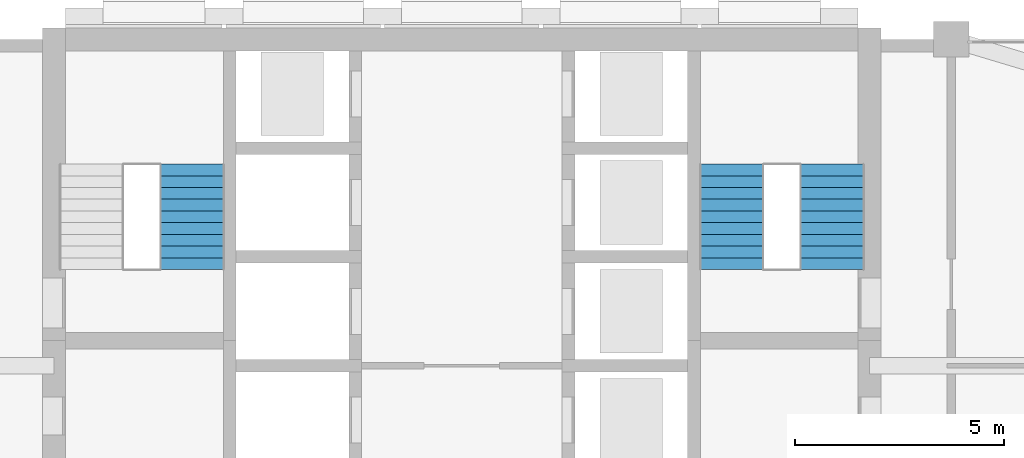
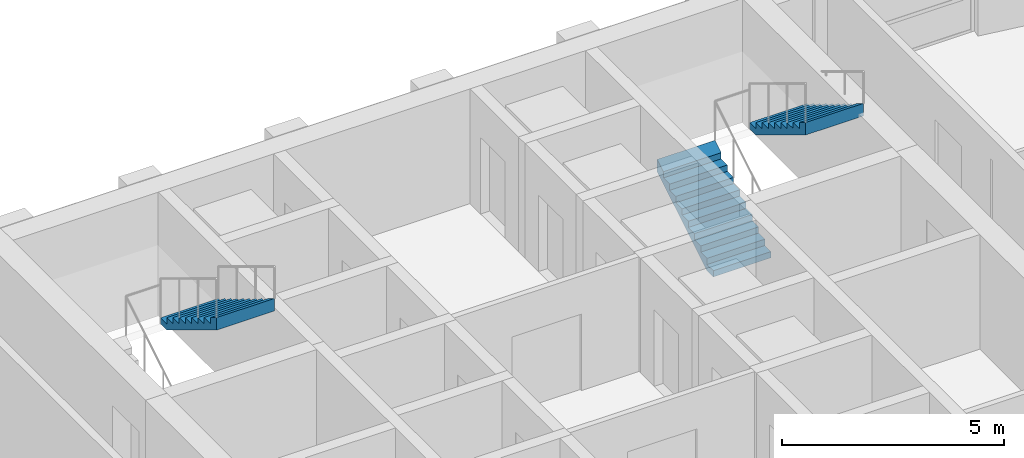
# One storey, part 16 of 19: 3 stair flights, 2 elements without a shape of their own.
"""IFC4 building model written with IfcOpenShell, lengths in metres."""

from ifc_helpers import new_model, si_unit, direction, frame, origin, place, context, subcontext, project, spatial, triangles, material, type_object, element, aggregate, save


model = new_model("IFC4")

# Units and contexts
model_context = context("Model", 3, precision=1e-05, world=origin(), true_north=direction((0.0, 1.0)))
body_context = subcontext(model_context, "Body", "Model", "MODEL_VIEW")
ifc_project = project(units=[si_unit("LENGTHUNIT", "METRE"), si_unit("AREAUNIT", "SQUARE_METRE"), si_unit("VOLUMEUNIT", "CUBIC_METRE"), si_unit("PLANEANGLEUNIT", "RADIAN"), si_unit("MASSUNIT", "GRAM", prefix="KILO")], contexts=[model_context])

# Site, building, storey
site_placement = place(None, origin())
site = spatial("IfcSite", under=ifc_project, at=site_placement, CompositionType="ELEMENT")
building_placement = place(site_placement, origin())
building = spatial("IfcBuilding", under=site, at=building_placement, Name="Ludao Terraces", CompositionType="ELEMENT")
storey_placement = place(building_placement, frame((0.0, 0.0, 133.89990234375)))
storey = spatial("IfcBuildingStorey", under=building, at=storey_placement, Name="L36", CompositionType="ELEMENT", Elevation=133.89990234375)

# Stair, stair flight
ifc_material = material(Name="Concrete C40", Category="concrete")
stair_type = type_object("IfcStairType", Name="INT Stair", PredefinedType="HALF_TURN_STAIR", material=ifc_material)
stair_1_placement = place(storey_placement, origin())
stair_1 = element("IfcStair", 1, at=stair_1_placement, inside=storey, type_object=stair_type, Name="EXIT STAIR 1", PredefinedType="HALF_TURN_STAIR")
stair_flight_type = type_object("IfcStairFlightType", Name="INT Stair flight", PredefinedType="STRAIGHT", material=ifc_material)
stair_flight_1_placement = place(storey_placement, frame((78.550048828125, 81.52001953125, 1.7001953125), z_axis=(0.0, 0.0, 1.0), x_axis=(0.0, -1.0, 0.0)))
stair_flight_1 = element("IfcStairFlight", 2, at=stair_flight_1_placement, type_object=stair_flight_type, Name="ST1 flight 2", NumberOfRisers=10, NumberOfTreads=9, PredefinedType="STRAIGHT", RiserHeight=0.17, TreadLength=0.28, context=body_context, shape_type="Tessellation", body=[
    triangles([(0.0, -0.75, 0.0), (0.0, -0.5, 0.0), (0.0, -0.25, 0.0), (0.0, 0.0, 0.0), (0.0, 0.25, 0.0), (0.0, 0.5, 0.0), (0.0, 0.75, 0.0), (0.0, -0.75, 0.169921875), (0.0, -0.5, 0.169921875), (0.0, -0.25, 0.169921875), (0.0, 0.0, 0.169921875), (0.0, 0.25, 0.169921875), (0.0, 0.5, 0.169921875), (0.0, 0.75, 0.169921875), (0.280029296875, -0.75, 0.169921875), (0.280029296875, -0.5, 0.169921875), (0.280029296875, -0.25, 0.169921875), (0.280029296875, 0.0, 0.169921875), (0.280029296875, 0.25, 0.169921875), (0.280029296875, 0.5, 0.169921875), (0.280029296875, 0.75, 0.169921875), (0.280029296875, -0.75, 0.340087890625), (0.280029296875, -0.5, 0.340087890625), (0.280029296875, -0.25, 0.340087890625), (0.280029296875, 0.0, 0.340087890625), (0.280029296875, 0.25, 0.340087890625), (0.280029296875, 0.5, 0.340087890625), (0.280029296875, 0.75, 0.340087890625), (0.56005859375, -0.75, 0.340087890625), (0.56005859375, -0.5, 0.340087890625), (0.56005859375, -0.25, 0.340087890625), (0.56005859375, 0.0, 0.340087890625), (0.56005859375, 0.25, 0.340087890625), (0.56005859375, 0.5, 0.340087890625), (0.56005859375, 0.75, 0.340087890625), (0.56005859375, -0.75, 0.510009765625), (0.56005859375, -0.5, 0.510009765625), (0.56005859375, -0.25, 0.510009765625), (0.56005859375, 0.0, 0.510009765625), (0.56005859375, 0.25, 0.510009765625), (0.56005859375, 0.5, 0.510009765625), (0.56005859375, 0.75, 0.510009765625), (0.840087890625, -0.75, 0.510009765625), (0.840087890625, -0.5, 0.510009765625), (0.840087890625, -0.25, 0.510009765625), (0.840087890625, 0.0, 0.510009765625), (0.840087890625, 0.25, 0.510009765625), (0.840087890625, 0.5, 0.510009765625), (0.840087890625, 0.75, 0.510009765625), (0.840087890625, -0.75, 0.679931640625), (0.840087890625, -0.5, 0.679931640625), (0.840087890625, -0.25, 0.679931640625), (0.840087890625, 0.0, 0.679931640625), (0.840087890625, 0.25, 0.679931640625), (0.840087890625, 0.5, 0.679931640625), (0.840087890625, 0.75, 0.679931640625), (1.1201171875, -0.75, 0.679931640625), (1.1201171875, -0.5, 0.679931640625), (1.1201171875, -0.25, 0.679931640625), (1.1201171875, 0.0, 0.679931640625), (1.1201171875, 0.25, 0.679931640625), (1.1201171875, 0.5, 0.679931640625), (1.1201171875, 0.75, 0.679931640625), (1.1201171875, -0.75, 0.85009765625), (1.1201171875, -0.5, 0.85009765625), (1.1201171875, -0.25, 0.85009765625), (1.1201171875, 0.0, 0.85009765625), (1.1201171875, 0.25, 0.85009765625), (1.1201171875, 0.5, 0.85009765625), (1.1201171875, 0.75, 0.85009765625), (1.39990234375, -0.75, 0.85009765625), (1.39990234375, -0.5, 0.85009765625), (1.39990234375, -0.25, 0.85009765625), (1.39990234375, 0.0, 0.85009765625), (1.39990234375, 0.25, 0.85009765625), (1.39990234375, 0.5, 0.85009765625), (1.39990234375, 0.75, 0.85009765625), (1.39990234375, -0.75, 1.02001953125), (1.39990234375, -0.5, 1.02001953125), (1.39990234375, -0.25, 1.02001953125), (1.39990234375, 0.0, 1.02001953125), (1.39990234375, 0.25, 1.02001953125), (1.39990234375, 0.5, 1.02001953125), (1.39990234375, 0.75, 1.02001953125), (1.679931640625, -0.75, 1.02001953125), (1.679931640625, -0.5, 1.02001953125), (1.679931640625, -0.25, 1.02001953125), (1.679931640625, 0.0, 1.02001953125), (1.679931640625, 0.25, 1.02001953125), (1.679931640625, 0.5, 1.02001953125), (1.679931640625, 0.75, 1.02001953125), (1.679931640625, -0.75, 1.18994140625), (1.679931640625, -0.5, 1.18994140625), (1.679931640625, -0.25, 1.18994140625), (1.679931640625, 0.0, 1.18994140625), (1.679931640625, 0.25, 1.18994140625), (1.679931640625, 0.5, 1.18994140625), (1.679931640625, 0.75, 1.18994140625), (1.9599609375, -0.75, 1.18994140625), (1.9599609375, -0.5, 1.18994140625), (1.9599609375, -0.25, 1.18994140625), (1.9599609375, 0.0, 1.18994140625), (1.9599609375, 0.25, 1.18994140625), (1.9599609375, 0.5, 1.18994140625), (1.9599609375, 0.75, 1.18994140625), (1.9599609375, -0.75, 1.360107421875), (1.9599609375, -0.5, 1.360107421875), (1.9599609375, -0.25, 1.360107421875), (1.9599609375, 0.0, 1.360107421875), (1.9599609375, 0.25, 1.360107421875), (1.9599609375, 0.5, 1.360107421875), (1.9599609375, 0.75, 1.360107421875), (2.239990234375, -0.75, 1.360107421875), (2.239990234375, -0.5, 1.360107421875), (2.239990234375, -0.25, 1.360107421875), (2.239990234375, 0.0, 1.360107421875), (2.239990234375, 0.25, 1.360107421875), (2.239990234375, 0.5, 1.360107421875), (2.239990234375, 0.75, 1.360107421875), (2.239990234375, -0.75, 1.530029296875), (2.239990234375, -0.5, 1.530029296875), (2.239990234375, -0.25, 1.530029296875), (2.239990234375, 0.0, 1.530029296875), (2.239990234375, 0.25, 1.530029296875), (2.239990234375, 0.5, 1.530029296875), (2.239990234375, 0.75, 1.530029296875), (2.52001953125, -0.75, 1.699951171875), (2.52001953125, -0.5, 1.699951171875), (2.52001953125, -0.25, 1.699951171875), (2.52001953125, 0.0, 1.699951171875), (2.52001953125, 0.25, 1.699951171875), (2.52001953125, 0.5, 1.699951171875), (2.52001953125, 0.75, 1.699951171875), (2.52001953125, -0.75, 1.354736328125), (2.52001953125, -0.5, 1.354736328125), (2.52001953125, -0.25, 1.354736328125), (2.52001953125, 0.0, 1.354736328125), (2.52001953125, 0.25, 1.354736328125), (2.52001953125, 0.5, 1.354736328125), (2.52001953125, 0.75, 1.354736328125), (0.288818359375, -0.75, 0.0), (0.288818359375, -0.5, 0.0), (0.288818359375, -0.25, 0.0), (0.288818359375, 0.0, 0.0), (0.288818359375, 0.25, 0.0), (0.288818359375, 0.5, 0.0), (0.288818359375, 0.75, 0.0)], [[1, 141, 134], [7, 140, 147], [134, 127, 120], [140, 126, 133], [134, 120, 113], [140, 119, 126], [134, 113, 106], [140, 112, 119], [134, 106, 99], [140, 105, 112], [99, 92, 85], [105, 91, 98], [134, 99, 85], [140, 91, 105], [85, 78, 71], [91, 77, 84], [134, 85, 71], [140, 77, 91], [71, 64, 57], [77, 63, 70], [134, 71, 57], [140, 63, 77], [57, 50, 43], [63, 49, 56], [134, 57, 43], [140, 49, 63], [43, 36, 29], [49, 35, 42], [134, 43, 29], [140, 35, 49], [29, 22, 15], [35, 21, 28], [134, 29, 15], [140, 21, 35], [1, 134, 15], [7, 21, 140], [15, 8, 1], [21, 7, 14], [1, 9, 2], [1, 8, 9], [2, 10, 3], [2, 9, 10], [3, 11, 4], [3, 10, 11], [4, 12, 5], [4, 11, 12], [5, 13, 6], [5, 12, 13], [6, 14, 7], [6, 13, 14], [8, 16, 9], [8, 15, 16], [9, 17, 10], [9, 16, 17], [10, 18, 11], [10, 17, 18], [11, 19, 12], [11, 18, 19], [12, 20, 13], [12, 19, 20], [13, 21, 14], [13, 20, 21], [15, 23, 16], [15, 22, 23], [16, 24, 17], [16, 23, 24], [17, 25, 18], [17, 24, 25], [18, 26, 19], [18, 25, 26], [19, 27, 20], [19, 26, 27], [20, 28, 21], [20, 27, 28], [22, 30, 23], [22, 29, 30], [23, 31, 24], [23, 30, 31], [24, 32, 25], [24, 31, 32], [25, 33, 26], [25, 32, 33], [26, 34, 27], [26, 33, 34], [27, 35, 28], [27, 34, 35], [29, 37, 30], [29, 36, 37], [30, 38, 31], [30, 37, 38], [31, 39, 32], [31, 38, 39], [32, 40, 33], [32, 39, 40], [33, 41, 34], [33, 40, 41], [34, 42, 35], [34, 41, 42], [36, 44, 37], [36, 43, 44], [37, 45, 38], [37, 44, 45], [38, 46, 39], [38, 45, 46], [39, 47, 40], [39, 46, 47], [40, 48, 41], [40, 47, 48], [41, 49, 42], [41, 48, 49], [43, 51, 44], [43, 50, 51], [44, 52, 45], [44, 51, 52], [45, 53, 46], [45, 52, 53], [46, 54, 47], [46, 53, 54], [47, 55, 48], [47, 54, 55], [48, 56, 49], [48, 55, 56], [50, 58, 51], [50, 57, 58], [51, 59, 52], [51, 58, 59], [52, 60, 53], [52, 59, 60], [53, 61, 54], [53, 60, 61], [54, 62, 55], [54, 61, 62], [55, 63, 56], [55, 62, 63], [57, 65, 58], [57, 64, 65], [58, 66, 59], [58, 65, 66], [59, 67, 60], [59, 66, 67], [60, 68, 61], [60, 67, 68], [61, 69, 62], [61, 68, 69], [62, 70, 63], [62, 69, 70], [64, 72, 65], [64, 71, 72], [65, 73, 66], [65, 72, 73], [66, 74, 67], [66, 73, 74], [67, 75, 68], [67, 74, 75], [68, 76, 69], [68, 75, 76], [69, 77, 70], [69, 76, 77], [71, 79, 72], [71, 78, 79], [72, 80, 73], [72, 79, 80], [73, 81, 74], [73, 80, 81], [74, 82, 75], [74, 81, 82], [75, 83, 76], [75, 82, 83], [76, 84, 77], [76, 83, 84], [78, 86, 79], [78, 85, 86], [79, 87, 80], [79, 86, 87], [80, 88, 81], [80, 87, 88], [81, 89, 82], [81, 88, 89], [82, 90, 83], [82, 89, 90], [83, 91, 84], [83, 90, 91], [85, 93, 86], [85, 92, 93], [86, 94, 87], [86, 93, 94], [87, 95, 88], [87, 94, 95], [88, 96, 89], [88, 95, 96], [89, 97, 90], [89, 96, 97], [90, 98, 91], [90, 97, 98], [92, 100, 93], [92, 99, 100], [93, 101, 94], [93, 100, 101], [94, 102, 95], [94, 101, 102], [95, 103, 96], [95, 102, 103], [96, 104, 97], [96, 103, 104], [97, 105, 98], [97, 104, 105], [99, 107, 100], [99, 106, 107], [100, 108, 101], [100, 107, 108], [101, 109, 102], [101, 108, 109], [102, 110, 103], [102, 109, 110], [103, 111, 104], [103, 110, 111], [104, 112, 105], [104, 111, 112], [106, 114, 107], [106, 113, 114], [107, 115, 108], [107, 114, 115], [108, 116, 109], [108, 115, 116], [109, 117, 110], [109, 116, 117], [110, 118, 111], [110, 117, 118], [111, 119, 112], [111, 118, 119], [113, 121, 114], [113, 120, 121], [114, 122, 115], [114, 121, 122], [115, 123, 116], [115, 122, 123], [116, 124, 117], [116, 123, 124], [117, 125, 118], [117, 124, 125], [118, 126, 119], [118, 125, 126], [120, 128, 121], [120, 127, 128], [121, 129, 122], [121, 128, 129], [122, 130, 123], [122, 129, 130], [123, 131, 124], [123, 130, 131], [124, 132, 125], [124, 131, 132], [125, 133, 126], [125, 132, 133], [127, 135, 128], [127, 134, 135], [128, 136, 129], [128, 135, 136], [129, 137, 130], [129, 136, 137], [130, 138, 131], [130, 137, 138], [131, 139, 132], [131, 138, 139], [132, 140, 133], [132, 139, 140], [134, 142, 135], [134, 141, 142], [135, 143, 136], [135, 142, 143], [136, 144, 137], [136, 143, 144], [137, 145, 138], [137, 144, 145], [138, 146, 139], [138, 145, 146], [139, 147, 140], [139, 146, 147], [141, 2, 142], [141, 1, 2], [142, 3, 143], [142, 2, 3], [143, 4, 144], [143, 3, 4], [144, 5, 145], [144, 4, 5], [145, 6, 146], [145, 5, 6], [146, 7, 147], [146, 6, 7]], closed=True),
])
aggregate(stair_1, [stair_flight_1])

# Stair, stair flights
stair_2_placement = place(storey_placement, origin())
stair_2 = element("IfcStair", 3, at=stair_2_placement, inside=storey, type_object=stair_type, Name="EXIT STAIR 2", PredefinedType="HALF_TURN_STAIR")
stair_flight_2_placement = place(storey_placement, frame((91.449951171875, 79.0, 0.0), z_axis=(0.0, 0.0, 1.0), x_axis=(0.0, 1.0, 0.0)))
stair_flight_2 = element("IfcStairFlight", 4, at=stair_flight_2_placement, type_object=stair_flight_type, Name="ST2 flight 1", NumberOfRisers=10, NumberOfTreads=9, PredefinedType="STRAIGHT", RiserHeight=0.17, TreadLength=0.28, context=body_context, shape_type="Tessellation", body=[
    triangles([(0.0, -0.75, 0.0), (0.0, -0.5, 0.0), (0.0, -0.25, 0.0), (0.0, 0.0, 0.0), (0.0, 0.25, 0.0), (0.0, 0.5, 0.0), (0.0, 0.75, 0.0), (0.0, -0.75, 0.169921875), (0.0, -0.5, 0.169921875), (0.0, -0.25, 0.169921875), (0.0, 0.0, 0.169921875), (0.0, 0.25, 0.169921875), (0.0, 0.5, 0.169921875), (0.0, 0.75, 0.169921875), (0.280029296875, -0.75, 0.169921875), (0.280029296875, -0.5, 0.169921875), (0.280029296875, -0.25, 0.169921875), (0.280029296875, 0.0, 0.169921875), (0.280029296875, 0.25, 0.169921875), (0.280029296875, 0.5, 0.169921875), (0.280029296875, 0.75, 0.169921875), (0.280029296875, -0.75, 0.340087890625), (0.280029296875, -0.5, 0.340087890625), (0.280029296875, -0.25, 0.340087890625), (0.280029296875, 0.0, 0.340087890625), (0.280029296875, 0.25, 0.340087890625), (0.280029296875, 0.5, 0.340087890625), (0.280029296875, 0.75, 0.340087890625), (0.56005859375, -0.75, 0.340087890625), (0.56005859375, -0.5, 0.340087890625), (0.56005859375, -0.25, 0.340087890625), (0.56005859375, 0.0, 0.340087890625), (0.56005859375, 0.25, 0.340087890625), (0.56005859375, 0.5, 0.340087890625), (0.56005859375, 0.75, 0.340087890625), (0.56005859375, -0.75, 0.510009765625), (0.56005859375, -0.5, 0.510009765625), (0.56005859375, -0.25, 0.510009765625), (0.56005859375, 0.0, 0.510009765625), (0.56005859375, 0.25, 0.510009765625), (0.56005859375, 0.5, 0.510009765625), (0.56005859375, 0.75, 0.510009765625), (0.840087890625, -0.75, 0.510009765625), (0.840087890625, -0.5, 0.510009765625), (0.840087890625, -0.25, 0.510009765625), (0.840087890625, 0.0, 0.510009765625), (0.840087890625, 0.25, 0.510009765625), (0.840087890625, 0.5, 0.510009765625), (0.840087890625, 0.75, 0.510009765625), (0.840087890625, -0.75, 0.679931640625), (0.840087890625, -0.5, 0.679931640625), (0.840087890625, -0.25, 0.679931640625), (0.840087890625, 0.0, 0.679931640625), (0.840087890625, 0.25, 0.679931640625), (0.840087890625, 0.5, 0.679931640625), (0.840087890625, 0.75, 0.679931640625), (1.1201171875, -0.75, 0.679931640625), (1.1201171875, -0.5, 0.679931640625), (1.1201171875, -0.25, 0.679931640625), (1.1201171875, 0.0, 0.679931640625), (1.1201171875, 0.25, 0.679931640625), (1.1201171875, 0.5, 0.679931640625), (1.1201171875, 0.75, 0.679931640625), (1.1201171875, -0.75, 0.85009765625), (1.1201171875, -0.5, 0.85009765625), (1.1201171875, -0.25, 0.85009765625), (1.1201171875, 0.0, 0.85009765625), (1.1201171875, 0.25, 0.85009765625), (1.1201171875, 0.5, 0.85009765625), (1.1201171875, 0.75, 0.85009765625), (1.39990234375, -0.75, 0.85009765625), (1.39990234375, -0.5, 0.85009765625), (1.39990234375, -0.25, 0.85009765625), (1.39990234375, 0.0, 0.85009765625), (1.39990234375, 0.25, 0.85009765625), (1.39990234375, 0.5, 0.85009765625), (1.39990234375, 0.75, 0.85009765625), (1.39990234375, -0.75, 1.02001953125), (1.39990234375, -0.5, 1.02001953125), (1.39990234375, -0.25, 1.02001953125), (1.39990234375, 0.0, 1.02001953125), (1.39990234375, 0.25, 1.02001953125), (1.39990234375, 0.5, 1.02001953125), (1.39990234375, 0.75, 1.02001953125), (1.679931640625, -0.75, 1.02001953125), (1.679931640625, -0.5, 1.02001953125), (1.679931640625, -0.25, 1.02001953125), (1.679931640625, 0.0, 1.02001953125), (1.679931640625, 0.25, 1.02001953125), (1.679931640625, 0.5, 1.02001953125), (1.679931640625, 0.75, 1.02001953125), (1.679931640625, -0.75, 1.18994140625), (1.679931640625, -0.5, 1.18994140625), (1.679931640625, -0.25, 1.18994140625), (1.679931640625, 0.0, 1.18994140625), (1.679931640625, 0.25, 1.18994140625), (1.679931640625, 0.5, 1.18994140625), (1.679931640625, 0.75, 1.18994140625), (1.9599609375, -0.75, 1.18994140625), (1.9599609375, -0.5, 1.18994140625), (1.9599609375, -0.25, 1.18994140625), (1.9599609375, 0.0, 1.18994140625), (1.9599609375, 0.25, 1.18994140625), (1.9599609375, 0.5, 1.18994140625), (1.9599609375, 0.75, 1.18994140625), (1.9599609375, -0.75, 1.360107421875), (1.9599609375, -0.5, 1.360107421875), (1.9599609375, -0.25, 1.360107421875), (1.9599609375, 0.0, 1.360107421875), (1.9599609375, 0.25, 1.360107421875), (1.9599609375, 0.5, 1.360107421875), (1.9599609375, 0.75, 1.360107421875), (2.239990234375, -0.75, 1.360107421875), (2.239990234375, -0.5, 1.360107421875), (2.239990234375, -0.25, 1.360107421875), (2.239990234375, 0.0, 1.360107421875), (2.239990234375, 0.25, 1.360107421875), (2.239990234375, 0.5, 1.360107421875), (2.239990234375, 0.75, 1.360107421875), (2.239990234375, -0.75, 1.530029296875), (2.239990234375, -0.5, 1.530029296875), (2.239990234375, -0.25, 1.530029296875), (2.239990234375, 0.0, 1.530029296875), (2.239990234375, 0.25, 1.530029296875), (2.239990234375, 0.5, 1.530029296875), (2.239990234375, 0.75, 1.530029296875), (2.52001953125, -0.75, 1.699951171875), (2.52001953125, -0.5, 1.699951171875), (2.52001953125, -0.25, 1.699951171875), (2.52001953125, 0.0, 1.699951171875), (2.52001953125, 0.25, 1.699951171875), (2.52001953125, 0.5, 1.699951171875), (2.52001953125, 0.75, 1.699951171875), (2.52001953125, -0.75, 1.354736328125), (2.52001953125, -0.5, 1.354736328125), (2.52001953125, -0.25, 1.354736328125), (2.52001953125, 0.0, 1.354736328125), (2.52001953125, 0.25, 1.354736328125), (2.52001953125, 0.5, 1.354736328125), (2.52001953125, 0.75, 1.354736328125), (0.288818359375, -0.75, 0.0), (0.288818359375, -0.5, 0.0), (0.288818359375, -0.25, 0.0), (0.288818359375, 0.0, 0.0), (0.288818359375, 0.25, 0.0), (0.288818359375, 0.5, 0.0), (0.288818359375, 0.75, 0.0)], [[1, 141, 134], [7, 140, 147], [134, 127, 120], [140, 126, 133], [134, 120, 113], [140, 119, 126], [134, 113, 106], [140, 112, 119], [134, 106, 99], [140, 105, 112], [99, 92, 85], [105, 91, 98], [134, 99, 85], [140, 91, 105], [85, 78, 71], [91, 77, 84], [134, 85, 71], [140, 77, 91], [71, 64, 57], [77, 63, 70], [134, 71, 57], [140, 63, 77], [57, 50, 43], [63, 49, 56], [134, 57, 43], [140, 49, 63], [43, 36, 29], [49, 35, 42], [134, 43, 29], [140, 35, 49], [29, 22, 15], [35, 21, 28], [134, 29, 15], [140, 21, 35], [1, 134, 15], [7, 21, 140], [15, 8, 1], [21, 7, 14], [1, 9, 2], [1, 8, 9], [2, 10, 3], [2, 9, 10], [3, 11, 4], [3, 10, 11], [4, 12, 5], [4, 11, 12], [5, 13, 6], [5, 12, 13], [6, 14, 7], [6, 13, 14], [8, 16, 9], [8, 15, 16], [9, 17, 10], [9, 16, 17], [10, 18, 11], [10, 17, 18], [11, 19, 12], [11, 18, 19], [12, 20, 13], [12, 19, 20], [13, 21, 14], [13, 20, 21], [15, 23, 16], [15, 22, 23], [16, 24, 17], [16, 23, 24], [17, 25, 18], [17, 24, 25], [18, 26, 19], [18, 25, 26], [19, 27, 20], [19, 26, 27], [20, 28, 21], [20, 27, 28], [22, 30, 23], [22, 29, 30], [23, 31, 24], [23, 30, 31], [24, 32, 25], [24, 31, 32], [25, 33, 26], [25, 32, 33], [26, 34, 27], [26, 33, 34], [27, 35, 28], [27, 34, 35], [29, 37, 30], [29, 36, 37], [30, 38, 31], [30, 37, 38], [31, 39, 32], [31, 38, 39], [32, 40, 33], [32, 39, 40], [33, 41, 34], [33, 40, 41], [34, 42, 35], [34, 41, 42], [36, 44, 37], [36, 43, 44], [37, 45, 38], [37, 44, 45], [38, 46, 39], [38, 45, 46], [39, 47, 40], [39, 46, 47], [40, 48, 41], [40, 47, 48], [41, 49, 42], [41, 48, 49], [43, 51, 44], [43, 50, 51], [44, 52, 45], [44, 51, 52], [45, 53, 46], [45, 52, 53], [46, 54, 47], [46, 53, 54], [47, 55, 48], [47, 54, 55], [48, 56, 49], [48, 55, 56], [50, 58, 51], [50, 57, 58], [51, 59, 52], [51, 58, 59], [52, 60, 53], [52, 59, 60], [53, 61, 54], [53, 60, 61], [54, 62, 55], [54, 61, 62], [55, 63, 56], [55, 62, 63], [57, 65, 58], [57, 64, 65], [58, 66, 59], [58, 65, 66], [59, 67, 60], [59, 66, 67], [60, 68, 61], [60, 67, 68], [61, 69, 62], [61, 68, 69], [62, 70, 63], [62, 69, 70], [64, 72, 65], [64, 71, 72], [65, 73, 66], [65, 72, 73], [66, 74, 67], [66, 73, 74], [67, 75, 68], [67, 74, 75], [68, 76, 69], [68, 75, 76], [69, 77, 70], [69, 76, 77], [71, 79, 72], [71, 78, 79], [72, 80, 73], [72, 79, 80], [73, 81, 74], [73, 80, 81], [74, 82, 75], [74, 81, 82], [75, 83, 76], [75, 82, 83], [76, 84, 77], [76, 83, 84], [78, 86, 79], [78, 85, 86], [79, 87, 80], [79, 86, 87], [80, 88, 81], [80, 87, 88], [81, 89, 82], [81, 88, 89], [82, 90, 83], [82, 89, 90], [83, 91, 84], [83, 90, 91], [85, 93, 86], [85, 92, 93], [86, 94, 87], [86, 93, 94], [87, 95, 88], [87, 94, 95], [88, 96, 89], [88, 95, 96], [89, 97, 90], [89, 96, 97], [90, 98, 91], [90, 97, 98], [92, 100, 93], [92, 99, 100], [93, 101, 94], [93, 100, 101], [94, 102, 95], [94, 101, 102], [95, 103, 96], [95, 102, 103], [96, 104, 97], [96, 103, 104], [97, 105, 98], [97, 104, 105], [99, 107, 100], [99, 106, 107], [100, 108, 101], [100, 107, 108], [101, 109, 102], [101, 108, 109], [102, 110, 103], [102, 109, 110], [103, 111, 104], [103, 110, 111], [104, 112, 105], [104, 111, 112], [106, 114, 107], [106, 113, 114], [107, 115, 108], [107, 114, 115], [108, 116, 109], [108, 115, 116], [109, 117, 110], [109, 116, 117], [110, 118, 111], [110, 117, 118], [111, 119, 112], [111, 118, 119], [113, 121, 114], [113, 120, 121], [114, 122, 115], [114, 121, 122], [115, 123, 116], [115, 122, 123], [116, 124, 117], [116, 123, 124], [117, 125, 118], [117, 124, 125], [118, 126, 119], [118, 125, 126], [120, 128, 121], [120, 127, 128], [121, 129, 122], [121, 128, 129], [122, 130, 123], [122, 129, 130], [123, 131, 124], [123, 130, 131], [124, 132, 125], [124, 131, 132], [125, 133, 126], [125, 132, 133], [127, 135, 128], [127, 134, 135], [128, 136, 129], [128, 135, 136], [129, 137, 130], [129, 136, 137], [130, 138, 131], [130, 137, 138], [131, 139, 132], [131, 138, 139], [132, 140, 133], [132, 139, 140], [134, 142, 135], [134, 141, 142], [135, 143, 136], [135, 142, 143], [136, 144, 137], [136, 143, 144], [137, 145, 138], [137, 144, 145], [138, 146, 139], [138, 145, 146], [139, 147, 140], [139, 146, 147], [141, 2, 142], [141, 1, 2], [142, 3, 143], [142, 2, 3], [143, 4, 144], [143, 3, 4], [144, 5, 145], [144, 4, 5], [145, 6, 146], [145, 5, 6], [146, 7, 147], [146, 6, 7]], closed=True),
])
stair_flight_3_placement = place(storey_placement, frame((93.85009765625, 81.52001953125, 1.7001953125), z_axis=(0.0, 0.0, 1.0), x_axis=(0.0, -1.0, 0.0)))
stair_flight_3 = element("IfcStairFlight", 5, at=stair_flight_3_placement, type_object=stair_flight_type, Name="ST2 flight 2", NumberOfRisers=10, NumberOfTreads=9, PredefinedType="STRAIGHT", RiserHeight=0.17, TreadLength=0.28, context=body_context, shape_type="Tessellation", body=[
    triangles([(0.0, -0.75, 0.0), (0.0, -0.5, 0.0), (0.0, -0.25, 0.0), (0.0, 0.0, 0.0), (0.0, 0.25, 0.0), (0.0, 0.5, 0.0), (0.0, 0.75, 0.0), (0.0, -0.75, 0.169921875), (0.0, -0.5, 0.169921875), (0.0, -0.25, 0.169921875), (0.0, 0.0, 0.169921875), (0.0, 0.25, 0.169921875), (0.0, 0.5, 0.169921875), (0.0, 0.75, 0.169921875), (0.280029296875, -0.75, 0.169921875), (0.280029296875, -0.5, 0.169921875), (0.280029296875, -0.25, 0.169921875), (0.280029296875, 0.0, 0.169921875), (0.280029296875, 0.25, 0.169921875), (0.280029296875, 0.5, 0.169921875), (0.280029296875, 0.75, 0.169921875), (0.280029296875, -0.75, 0.340087890625), (0.280029296875, -0.5, 0.340087890625), (0.280029296875, -0.25, 0.340087890625), (0.280029296875, 0.0, 0.340087890625), (0.280029296875, 0.25, 0.340087890625), (0.280029296875, 0.5, 0.340087890625), (0.280029296875, 0.75, 0.340087890625), (0.56005859375, -0.75, 0.340087890625), (0.56005859375, -0.5, 0.340087890625), (0.56005859375, -0.25, 0.340087890625), (0.56005859375, 0.0, 0.340087890625), (0.56005859375, 0.25, 0.340087890625), (0.56005859375, 0.5, 0.340087890625), (0.56005859375, 0.75, 0.340087890625), (0.56005859375, -0.75, 0.510009765625), (0.56005859375, -0.5, 0.510009765625), (0.56005859375, -0.25, 0.510009765625), (0.56005859375, 0.0, 0.510009765625), (0.56005859375, 0.25, 0.510009765625), (0.56005859375, 0.5, 0.510009765625), (0.56005859375, 0.75, 0.510009765625), (0.840087890625, -0.75, 0.510009765625), (0.840087890625, -0.5, 0.510009765625), (0.840087890625, -0.25, 0.510009765625), (0.840087890625, 0.0, 0.510009765625), (0.840087890625, 0.25, 0.510009765625), (0.840087890625, 0.5, 0.510009765625), (0.840087890625, 0.75, 0.510009765625), (0.840087890625, -0.75, 0.679931640625), (0.840087890625, -0.5, 0.679931640625), (0.840087890625, -0.25, 0.679931640625), (0.840087890625, 0.0, 0.679931640625), (0.840087890625, 0.25, 0.679931640625), (0.840087890625, 0.5, 0.679931640625), (0.840087890625, 0.75, 0.679931640625), (1.1201171875, -0.75, 0.679931640625), (1.1201171875, -0.5, 0.679931640625), (1.1201171875, -0.25, 0.679931640625), (1.1201171875, 0.0, 0.679931640625), (1.1201171875, 0.25, 0.679931640625), (1.1201171875, 0.5, 0.679931640625), (1.1201171875, 0.75, 0.679931640625), (1.1201171875, -0.75, 0.85009765625), (1.1201171875, -0.5, 0.85009765625), (1.1201171875, -0.25, 0.85009765625), (1.1201171875, 0.0, 0.85009765625), (1.1201171875, 0.25, 0.85009765625), (1.1201171875, 0.5, 0.85009765625), (1.1201171875, 0.75, 0.85009765625), (1.39990234375, -0.75, 0.85009765625), (1.39990234375, -0.5, 0.85009765625), (1.39990234375, -0.25, 0.85009765625), (1.39990234375, 0.0, 0.85009765625), (1.39990234375, 0.25, 0.85009765625), (1.39990234375, 0.5, 0.85009765625), (1.39990234375, 0.75, 0.85009765625), (1.39990234375, -0.75, 1.02001953125), (1.39990234375, -0.5, 1.02001953125), (1.39990234375, -0.25, 1.02001953125), (1.39990234375, 0.0, 1.02001953125), (1.39990234375, 0.25, 1.02001953125), (1.39990234375, 0.5, 1.02001953125), (1.39990234375, 0.75, 1.02001953125), (1.679931640625, -0.75, 1.02001953125), (1.679931640625, -0.5, 1.02001953125), (1.679931640625, -0.25, 1.02001953125), (1.679931640625, 0.0, 1.02001953125), (1.679931640625, 0.25, 1.02001953125), (1.679931640625, 0.5, 1.02001953125), (1.679931640625, 0.75, 1.02001953125), (1.679931640625, -0.75, 1.18994140625), (1.679931640625, -0.5, 1.18994140625), (1.679931640625, -0.25, 1.18994140625), (1.679931640625, 0.0, 1.18994140625), (1.679931640625, 0.25, 1.18994140625), (1.679931640625, 0.5, 1.18994140625), (1.679931640625, 0.75, 1.18994140625), (1.9599609375, -0.75, 1.18994140625), (1.9599609375, -0.5, 1.18994140625), (1.9599609375, -0.25, 1.18994140625), (1.9599609375, 0.0, 1.18994140625), (1.9599609375, 0.25, 1.18994140625), (1.9599609375, 0.5, 1.18994140625), (1.9599609375, 0.75, 1.18994140625), (1.9599609375, -0.75, 1.360107421875), (1.9599609375, -0.5, 1.360107421875), (1.9599609375, -0.25, 1.360107421875), (1.9599609375, 0.0, 1.360107421875), (1.9599609375, 0.25, 1.360107421875), (1.9599609375, 0.5, 1.360107421875), (1.9599609375, 0.75, 1.360107421875), (2.239990234375, -0.75, 1.360107421875), (2.239990234375, -0.5, 1.360107421875), (2.239990234375, -0.25, 1.360107421875), (2.239990234375, 0.0, 1.360107421875), (2.239990234375, 0.25, 1.360107421875), (2.239990234375, 0.5, 1.360107421875), (2.239990234375, 0.75, 1.360107421875), (2.239990234375, -0.75, 1.530029296875), (2.239990234375, -0.5, 1.530029296875), (2.239990234375, -0.25, 1.530029296875), (2.239990234375, 0.0, 1.530029296875), (2.239990234375, 0.25, 1.530029296875), (2.239990234375, 0.5, 1.530029296875), (2.239990234375, 0.75, 1.530029296875), (2.52001953125, -0.75, 1.699951171875), (2.52001953125, -0.5, 1.699951171875), (2.52001953125, -0.25, 1.699951171875), (2.52001953125, 0.0, 1.699951171875), (2.52001953125, 0.25, 1.699951171875), (2.52001953125, 0.5, 1.699951171875), (2.52001953125, 0.75, 1.699951171875), (2.52001953125, -0.75, 1.354736328125), (2.52001953125, -0.5, 1.354736328125), (2.52001953125, -0.25, 1.354736328125), (2.52001953125, 0.0, 1.354736328125), (2.52001953125, 0.25, 1.354736328125), (2.52001953125, 0.5, 1.354736328125), (2.52001953125, 0.75, 1.354736328125), (0.288818359375, -0.75, 0.0), (0.288818359375, -0.5, 0.0), (0.288818359375, -0.25, 0.0), (0.288818359375, 0.0, 0.0), (0.288818359375, 0.25, 0.0), (0.288818359375, 0.5, 0.0), (0.288818359375, 0.75, 0.0)], [[1, 141, 134], [7, 140, 147], [134, 127, 120], [140, 126, 133], [134, 120, 113], [140, 119, 126], [134, 113, 106], [140, 112, 119], [134, 106, 99], [140, 105, 112], [99, 92, 85], [105, 91, 98], [134, 99, 85], [140, 91, 105], [85, 78, 71], [91, 77, 84], [134, 85, 71], [140, 77, 91], [71, 64, 57], [77, 63, 70], [134, 71, 57], [140, 63, 77], [57, 50, 43], [63, 49, 56], [134, 57, 43], [140, 49, 63], [43, 36, 29], [49, 35, 42], [134, 43, 29], [140, 35, 49], [29, 22, 15], [35, 21, 28], [134, 29, 15], [140, 21, 35], [1, 134, 15], [7, 21, 140], [15, 8, 1], [21, 7, 14], [1, 9, 2], [1, 8, 9], [2, 10, 3], [2, 9, 10], [3, 11, 4], [3, 10, 11], [4, 12, 5], [4, 11, 12], [5, 13, 6], [5, 12, 13], [6, 14, 7], [6, 13, 14], [8, 16, 9], [8, 15, 16], [9, 17, 10], [9, 16, 17], [10, 18, 11], [10, 17, 18], [11, 19, 12], [11, 18, 19], [12, 20, 13], [12, 19, 20], [13, 21, 14], [13, 20, 21], [15, 23, 16], [15, 22, 23], [16, 24, 17], [16, 23, 24], [17, 25, 18], [17, 24, 25], [18, 26, 19], [18, 25, 26], [19, 27, 20], [19, 26, 27], [20, 28, 21], [20, 27, 28], [22, 30, 23], [22, 29, 30], [23, 31, 24], [23, 30, 31], [24, 32, 25], [24, 31, 32], [25, 33, 26], [25, 32, 33], [26, 34, 27], [26, 33, 34], [27, 35, 28], [27, 34, 35], [29, 37, 30], [29, 36, 37], [30, 38, 31], [30, 37, 38], [31, 39, 32], [31, 38, 39], [32, 40, 33], [32, 39, 40], [33, 41, 34], [33, 40, 41], [34, 42, 35], [34, 41, 42], [36, 44, 37], [36, 43, 44], [37, 45, 38], [37, 44, 45], [38, 46, 39], [38, 45, 46], [39, 47, 40], [39, 46, 47], [40, 48, 41], [40, 47, 48], [41, 49, 42], [41, 48, 49], [43, 51, 44], [43, 50, 51], [44, 52, 45], [44, 51, 52], [45, 53, 46], [45, 52, 53], [46, 54, 47], [46, 53, 54], [47, 55, 48], [47, 54, 55], [48, 56, 49], [48, 55, 56], [50, 58, 51], [50, 57, 58], [51, 59, 52], [51, 58, 59], [52, 60, 53], [52, 59, 60], [53, 61, 54], [53, 60, 61], [54, 62, 55], [54, 61, 62], [55, 63, 56], [55, 62, 63], [57, 65, 58], [57, 64, 65], [58, 66, 59], [58, 65, 66], [59, 67, 60], [59, 66, 67], [60, 68, 61], [60, 67, 68], [61, 69, 62], [61, 68, 69], [62, 70, 63], [62, 69, 70], [64, 72, 65], [64, 71, 72], [65, 73, 66], [65, 72, 73], [66, 74, 67], [66, 73, 74], [67, 75, 68], [67, 74, 75], [68, 76, 69], [68, 75, 76], [69, 77, 70], [69, 76, 77], [71, 79, 72], [71, 78, 79], [72, 80, 73], [72, 79, 80], [73, 81, 74], [73, 80, 81], [74, 82, 75], [74, 81, 82], [75, 83, 76], [75, 82, 83], [76, 84, 77], [76, 83, 84], [78, 86, 79], [78, 85, 86], [79, 87, 80], [79, 86, 87], [80, 88, 81], [80, 87, 88], [81, 89, 82], [81, 88, 89], [82, 90, 83], [82, 89, 90], [83, 91, 84], [83, 90, 91], [85, 93, 86], [85, 92, 93], [86, 94, 87], [86, 93, 94], [87, 95, 88], [87, 94, 95], [88, 96, 89], [88, 95, 96], [89, 97, 90], [89, 96, 97], [90, 98, 91], [90, 97, 98], [92, 100, 93], [92, 99, 100], [93, 101, 94], [93, 100, 101], [94, 102, 95], [94, 101, 102], [95, 103, 96], [95, 102, 103], [96, 104, 97], [96, 103, 104], [97, 105, 98], [97, 104, 105], [99, 107, 100], [99, 106, 107], [100, 108, 101], [100, 107, 108], [101, 109, 102], [101, 108, 109], [102, 110, 103], [102, 109, 110], [103, 111, 104], [103, 110, 111], [104, 112, 105], [104, 111, 112], [106, 114, 107], [106, 113, 114], [107, 115, 108], [107, 114, 115], [108, 116, 109], [108, 115, 116], [109, 117, 110], [109, 116, 117], [110, 118, 111], [110, 117, 118], [111, 119, 112], [111, 118, 119], [113, 121, 114], [113, 120, 121], [114, 122, 115], [114, 121, 122], [115, 123, 116], [115, 122, 123], [116, 124, 117], [116, 123, 124], [117, 125, 118], [117, 124, 125], [118, 126, 119], [118, 125, 126], [120, 128, 121], [120, 127, 128], [121, 129, 122], [121, 128, 129], [122, 130, 123], [122, 129, 130], [123, 131, 124], [123, 130, 131], [124, 132, 125], [124, 131, 132], [125, 133, 126], [125, 132, 133], [127, 135, 128], [127, 134, 135], [128, 136, 129], [128, 135, 136], [129, 137, 130], [129, 136, 137], [130, 138, 131], [130, 137, 138], [131, 139, 132], [131, 138, 139], [132, 140, 133], [132, 139, 140], [134, 142, 135], [134, 141, 142], [135, 143, 136], [135, 142, 143], [136, 144, 137], [136, 143, 144], [137, 145, 138], [137, 144, 145], [138, 146, 139], [138, 145, 146], [139, 147, 140], [139, 146, 147], [141, 2, 142], [141, 1, 2], [142, 3, 143], [142, 2, 3], [143, 4, 144], [143, 3, 4], [144, 5, 145], [144, 4, 5], [145, 6, 146], [145, 5, 6], [146, 7, 147], [146, 6, 7]], closed=True),
])
aggregate(stair_2, [stair_flight_2, stair_flight_3])

save(model, "model.ifc")
